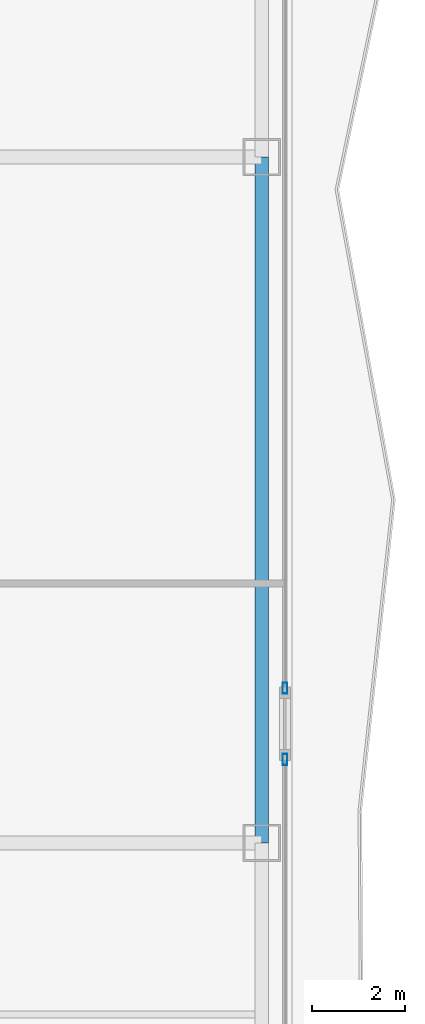
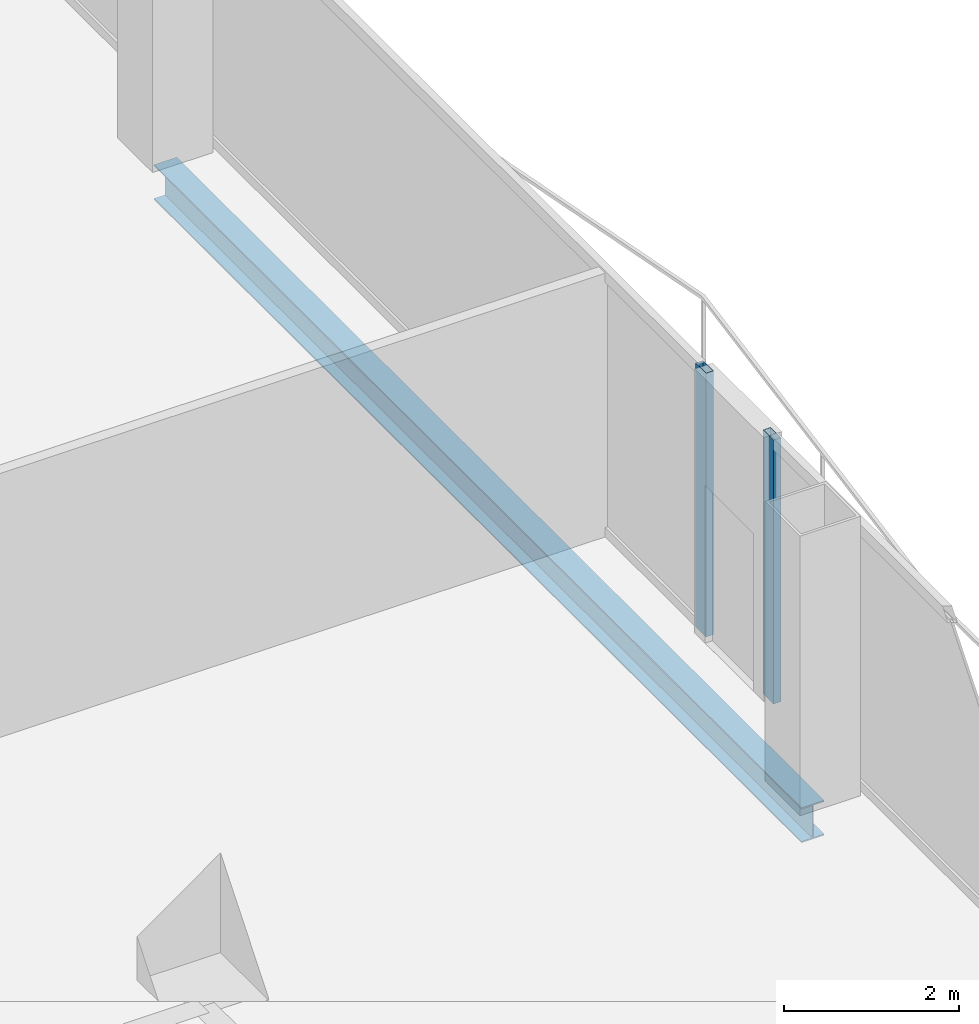
# One storey, part 12 of 28: 2 members, 1 beam, 2 elements without a shape of their own.
"""IFC4 building model written with IfcOpenShell, lengths in metres."""

import ifcopenshell
import ifcopenshell.guid

model = None  # the IFC model being written
_history = None  # IfcOwnerHistory: only IFC2X3 demands one
_inside = {}  # id of a spatial element -> (the spatial element, [elements in it])
_under = {}  # id of a project, library or spatial element -> (it, [spatial elements below it])
_declared = {}  # id of a project -> (the project, [libraries it declares])
_typed = {}  # id of a type object -> (the type object, [elements of that type])
_made_of = {}  # id of a material, layer set ... -> (it, [elements and type objects made of it])


def new_model(schema):
    """Start an empty IFC model of exactly this schema.

    Asked for "IFC4X3", IfcOpenShell would pick the latest addendum, in which some entities
    have other attributes; the version numbers below select the first issue.
    IFC2X3 requires an IfcOwnerHistory on every rooted entity: one is made here for all.
    """
    global model, _history
    if schema == "IFC4X3":
        model = ifcopenshell.file(schema_version=(4, 3, 0, 0))
    else:
        model = ifcopenshell.file(schema=schema)
    _inside.clear()
    _under.clear()
    _declared.clear()
    _typed.clear()
    _made_of.clear()
    _history = None
    if model.schema == "IFC2X3":
        org = make("IfcOrganization", Name="unknown")
        user = make(
            "IfcPersonAndOrganization",
            ThePerson=make("IfcPerson", FamilyName="unknown"),
            TheOrganization=org,
        )
        app = make(
            "IfcApplication",
            ApplicationDeveloper=org,
            Version="unknown",
            ApplicationFullName="unknown",
            ApplicationIdentifier="unknown",
        )
        _history = make(
            "IfcOwnerHistory",
            OwningUser=user,
            OwningApplication=app,
            ChangeAction="ADDED",
            CreationDate=0,
        )
    return model


def make(cls, **values):
    """One entity of the class cls with the attributes given. An attribute that is None is left unset."""
    return model.create_entity(
        cls, **{name: value for name, value in values.items() if value is not None}
    )


def rooted(cls, **values):
    """An entity with a GlobalId (a new one), such as an element, a storey or a relation."""
    return make(cls, GlobalId=ifcopenshell.guid.new(), OwnerHistory=_history, **values)


def si_unit(unit_type, name, prefix=None):
    """IfcSIUnit, for example si_unit("LENGTHUNIT", "METRE", prefix="MILLI")."""
    return make("IfcSIUnit", UnitType=unit_type, Prefix=prefix, Name=name)


def assignment(units):
    """IfcUnitAssignment: the units of a project."""
    return None if units is None else make("IfcUnitAssignment", Units=units)


def point(xyz):
    """IfcCartesianPoint."""
    return None if xyz is None else make("IfcCartesianPoint", Coordinates=xyz)


def direction(xyz):
    """IfcDirection."""
    return None if xyz is None else make("IfcDirection", DirectionRatios=xyz)


def frame(location, z_axis=None, x_axis=None):
    """IfcAxis2Placement3D, a coordinate frame: its origin and axes. An axis left out is left unset."""
    return make(
        "IfcAxis2Placement3D",
        Location=point(location),
        Axis=direction(z_axis),
        RefDirection=direction(x_axis),
    )


def frame_2d(location, x_axis=None):
    """IfcAxis2Placement2D, a coordinate frame in the plane: its origin and x axis."""
    return make(
        "IfcAxis2Placement2D", Location=point(location), RefDirection=direction(x_axis)
    )


def origin():
    """The frame at (0, 0, 0) with its axes left unset."""
    return frame((0.0, 0.0, 0.0))


def origin_2d():
    """The frame at (0, 0) in the plane with its x axis left unset."""
    return frame_2d((0.0, 0.0))


def place(relative_to, where):
    """IfcLocalPlacement: puts the frame where relative to a parent placement (None: the world)."""
    return make(
        "IfcLocalPlacement", PlacementRelTo=relative_to, RelativePlacement=where
    )


def context(
    kind, dimensions, precision=None, world=None, true_north=None, identifier=None
):
    """IfcGeometricRepresentationContext, for example the 3D "Model" context."""
    return make(
        "IfcGeometricRepresentationContext",
        ContextIdentifier=identifier,
        ContextType=kind,
        CoordinateSpaceDimension=dimensions,
        Precision=precision,
        WorldCoordinateSystem=world,
        TrueNorth=true_north,
    )


def subcontext(parent, identifier, kind, view, scale=None):
    """IfcGeometricRepresentationSubContext, for example "Body" below "Model"."""
    return make(
        "IfcGeometricRepresentationSubContext",
        ContextIdentifier=identifier,
        ContextType=kind,
        ParentContext=parent,
        TargetScale=scale,
        TargetView=view,
    )


def project(units=None, contexts=None):
    """IfcProject with its units and contexts."""
    return rooted(
        "IfcProject",
        Name="project",
        RepresentationContexts=contexts,
        UnitsInContext=assignment(units),
    )


def spatial(cls, under=None, at=None, **own):
    """A site, building, storey or space (cls), placed at a placement, below another one or the project."""
    s = rooted(cls, ObjectPlacement=at, **own)
    if under is not None:
        _under.setdefault(under.id(), (under, []))[1].append(s)
    return s


def profile(cls, at=None, kind="AREA", **sizes):
    """A parametric profile (cls). Its sizes go by their IFC names, for example OverallWidth=200.0."""
    return make(cls, ProfileType=kind, Position=at, **sizes)


def hollow_rectangle(**sizes):
    """IfcRectangleHollowProfileDef."""
    return profile("IfcRectangleHollowProfileDef", **sizes)


def i_section(**sizes):
    """IfcIShapeProfileDef."""
    return profile("IfcIShapeProfileDef", **sizes)


def extrude(swept, where, along, depth):
    """IfcExtrudedAreaSolid: the profile swept, set in the frame where, extruded along a direction by depth."""
    return make(
        "IfcExtrudedAreaSolid",
        SweptArea=swept,
        Position=where,
        ExtrudedDirection=direction(along),
        Depth=depth,
    )


def shape(context_of_items, identifier, shape_type, items):
    """IfcShapeRepresentation: the items that make up one representation, for example the "Body"."""
    return make(
        "IfcShapeRepresentation",
        ContextOfItems=context_of_items,
        RepresentationIdentifier=identifier,
        RepresentationType=shape_type,
        Items=items,
    )


def material(Name=None, Category=None):
    """IfcMaterial."""
    return make("IfcMaterial", Name=Name, Category=Category)


def layer(
    of_material, thickness, ventilated=None, Name=None, Category=None, Priority=None
):
    """IfcMaterialLayer: one layer of a wall or slab, of a material (None: an air gap)."""
    return make(
        "IfcMaterialLayer",
        Material=of_material,
        LayerThickness=thickness,
        IsVentilated=ventilated,
        Name=Name,
        Category=Category,
        Priority=Priority,
    )


def layer_set(layers, Name=None):
    """IfcMaterialLayerSet."""
    return make("IfcMaterialLayerSet", MaterialLayers=layers, LayerSetName=Name)


def material_profile(
    of_material, cross_section, Name=None, Category=None, Priority=None
):
    """IfcMaterialProfile: a cross section and its material."""
    return make(
        "IfcMaterialProfile",
        Name=Name,
        Material=of_material,
        Profile=cross_section,
        Priority=Priority,
        Category=Category,
    )


def profile_set(profiles, Name=None, composite=None):
    """IfcMaterialProfileSet."""
    return make(
        "IfcMaterialProfileSet",
        Name=Name,
        MaterialProfiles=profiles,
        CompositeProfile=composite,
    )


def made_of(thing, what):
    """Note that an element or type object is made of a material, layer set ...; save() writes the relation."""
    if what is not None:
        _made_of.setdefault(what.id(), (what, []))[1].append(thing)
    return thing


def type_object(cls, material=None, **own):
    """A type object (cls), such as IfcWallType, which elements share."""
    return made_of(rooted(cls, **own), material)


def element(
    cls,
    number,
    at=None,
    inside=None,
    cuts=None,
    type_object=None,
    material=None,
    context=None,
    identifier="Body",
    shape_type=None,
    held_by="IfcProductDefinitionShape",
    body=None,
    shapes=None,
    **own,
):
    """One element of the class cls, such as IfcWall. Its Tag is "e" and its number.

    at: its placement. inside: the storey or other place that contains it. cuts: it is an
    opening in that element (IfcRelVoidsElement). A single representation is given by context,
    identifier, shape_type and body (its items); several are given by shapes. held_by: the class
    of the entity that holds the representations. save() writes the other relations.
    """
    e = rooted(cls, Tag="e%d" % number, ObjectPlacement=at, **own)
    if body is not None:
        shapes = [shape(context, identifier, shape_type, body)]
    if shapes is not None:
        e.Representation = make(held_by, Representations=shapes)
    if inside is not None:
        _inside.setdefault(inside.id(), (inside, []))[1].append(e)
    if cuts is not None:
        rooted(
            "IfcRelVoidsElement", RelatingBuildingElement=cuts, RelatedOpeningElement=e
        )
    if type_object is not None:
        _typed.setdefault(type_object.id(), (type_object, []))[1].append(e)
    return made_of(e, material)


def aggregate(whole, parts):
    """IfcRelAggregates: a whole, such as a stair, and the parts it consists of."""
    return rooted("IfcRelAggregates", RelatingObject=whole, RelatedObjects=parts)


def save(model, path):
    """Write the relations noted so far, then the file.

    IfcRelAggregates (storeys below a building ...), IfcRelContainedInSpatialStructure (elements
    in a storey), IfcRelDefinesByType, IfcRelAssociatesMaterial and IfcRelDeclares: one each for
    every whole, place, type object, material and project.
    """
    for whole, parts in _under.values():
        aggregate(whole, parts)
    for where, things in _inside.values():
        rooted(
            "IfcRelContainedInSpatialStructure",
            RelatedElements=things,
            RelatingStructure=where,
        )
    for kind, things in _typed.values():
        rooted("IfcRelDefinesByType", RelatedObjects=things, RelatingType=kind)
    for what, things in _made_of.values():
        rooted("IfcRelAssociatesMaterial", RelatedObjects=things, RelatingMaterial=what)
    for by, libraries in _declared.values():
        rooted("IfcRelDeclares", RelatingContext=by, RelatedDefinitions=libraries)
    model.write(path)


model = new_model("IFC4")

# Units and contexts
model_context = context("Model", 3, precision=1e-05, world=origin(), true_north=direction((0.0, 1.0)))
body_context = subcontext(model_context, "Body", "Model", "MODEL_VIEW")
ifc_project = project(units=[si_unit("LENGTHUNIT", "METRE"), si_unit("AREAUNIT", "SQUARE_METRE"), si_unit("VOLUMEUNIT", "CUBIC_METRE"), si_unit("PLANEANGLEUNIT", "RADIAN"), si_unit("MASSUNIT", "GRAM", prefix="KILO")], contexts=[model_context])

# Site, building, storey
site_placement = place(None, origin())
site = spatial("IfcSite", under=ifc_project, at=site_placement, CompositionType="ELEMENT")
building_placement = place(site_placement, origin())
building = spatial("IfcBuilding", under=site, at=building_placement, Name="Khorvyn Point Tower", CompositionType="ELEMENT")
storey_placement = place(building_placement, frame((0.0, 0.0, 34.5)))
storey = spatial("IfcBuildingStorey", under=building, at=storey_placement, Name="L09", CompositionType="ELEMENT", Elevation=34.5)

# Curtain wall, member
ifc_material_1 = material(Name="Anodised aluminium 6063-T6 and laminated Low-E glass", Category="aluminium")
ifc_layer = layer(ifc_material_1, 0.18994140625)
ifc_layer_set = layer_set([ifc_layer], Name="Stick-Built Finned Residential Curtain Wall CW-SYS-02")
curtain_wall_type = type_object("IfcCurtainWallType", Name="Stick-Built Finned Residential Curtain Wall CW-SYS-02", PredefinedType="NOTDEFINED", material=ifc_layer_set)
curtain_wall_1_placement = place(storey_placement, origin())
curtain_wall_1 = element("IfcCurtainWall", 1, at=curtain_wall_1_placement, inside=storey, type_object=curtain_wall_type, Name="Curtain Wall", PredefinedType="NOTDEFINED")
ifc_material_2 = material(Name="Anodised aluminium 6063-T6", Category="aluminium")
ifc_material_profile_1 = material_profile(ifc_material_2, hollow_rectangle(XDim=0.10009765625, YDim=0.239990234375, WallThickness=0.0048828125, at=origin_2d()))
ifc_profile_set_1 = profile_set([ifc_material_profile_1], Name="Anodised aluminium 6063-T6 ALU-MUL-100x240")
member_type = type_object("IfcMemberType", Name="Anodised Aluminium 6063-T6 Mullion ALU-MUL-100x240", PredefinedType="MULLION", material=ifc_profile_set_1)
member_1_placement = place(storey_placement, frame((27.949951171875, -4.06005859375, 0.0), z_axis=(0.0, 0.0, 1.0), x_axis=(1.0, 0.0, 0.0)))
member_1 = element("IfcMember", 2, at=member_1_placement, type_object=member_type, Name="Transom", PredefinedType="MULLION", context=body_context, shape_type="SweptSolid", body=[
    extrude(hollow_rectangle(XDim=0.10009765625, YDim=0.239990234375, WallThickness=0.0048828125, at=origin_2d()), origin(), (0.0, 0.0, 1.0), 3.679931640625),
])
aggregate(curtain_wall_1, [member_1])

curtain_wall_2_placement = place(storey_placement, origin())
curtain_wall_2 = element("IfcCurtainWall", 3, at=curtain_wall_2_placement, inside=storey, type_object=curtain_wall_type, Name="Curtain Wall", PredefinedType="NOTDEFINED")
member_2_placement = place(storey_placement, frame((27.949951171875, -5.60009765625, 0.0), z_axis=(0.0, 0.0, 1.0), x_axis=(1.0, 0.0, 0.0)))
member_2 = element("IfcMember", 4, at=member_2_placement, type_object=member_type, Name="Transom", PredefinedType="MULLION", context=body_context, shape_type="SweptSolid", body=[
    extrude(hollow_rectangle(XDim=0.10009765625, YDim=0.239990234375, WallThickness=0.0048828125, at=origin_2d()), origin(), (0.0, 0.0, 1.0), 3.679931640625),
])
aggregate(curtain_wall_2, [member_2])

# Beam
ifc_material_3 = material(Name="Steel S355", Category="steel")
ifc_material_profile_2 = material_profile(ifc_material_3, i_section(OverallWidth=0.300048828125, OverallDepth=0.488037109375, WebThickness=0.010986328125, FlangeThickness=0.01806640625, at=origin_2d()))
ifc_profile_set_2 = profile_set([ifc_material_profile_2], Name="Steel S355 H488x300x11x18")
beam_type = type_object("IfcBeamType", Name="Steel S355 Spandrel H488x300x11x18", PredefinedType="SPANDREL", material=ifc_profile_set_2)
beam_placement = place(storey_placement, frame((27.449951171875, -7.39990234375, -0.464111328125), z_axis=(0.0, 1.0, 0.0), x_axis=(-1.0, 0.0, 0.0)))
element("IfcBeam", 5, at=beam_placement, inside=storey, type_object=beam_type, Name="Beam", PredefinedType="SPANDREL", context=body_context, shape_type="SweptSolid", body=[
    extrude(i_section(OverallWidth=0.300048828125, OverallDepth=0.488037109375, WebThickness=0.010986328125, FlangeThickness=0.01806640625, at=origin_2d()), origin(), (0.0, 0.0, 1.0), 14.7998046875),
])

save(model, "model.ifc")
